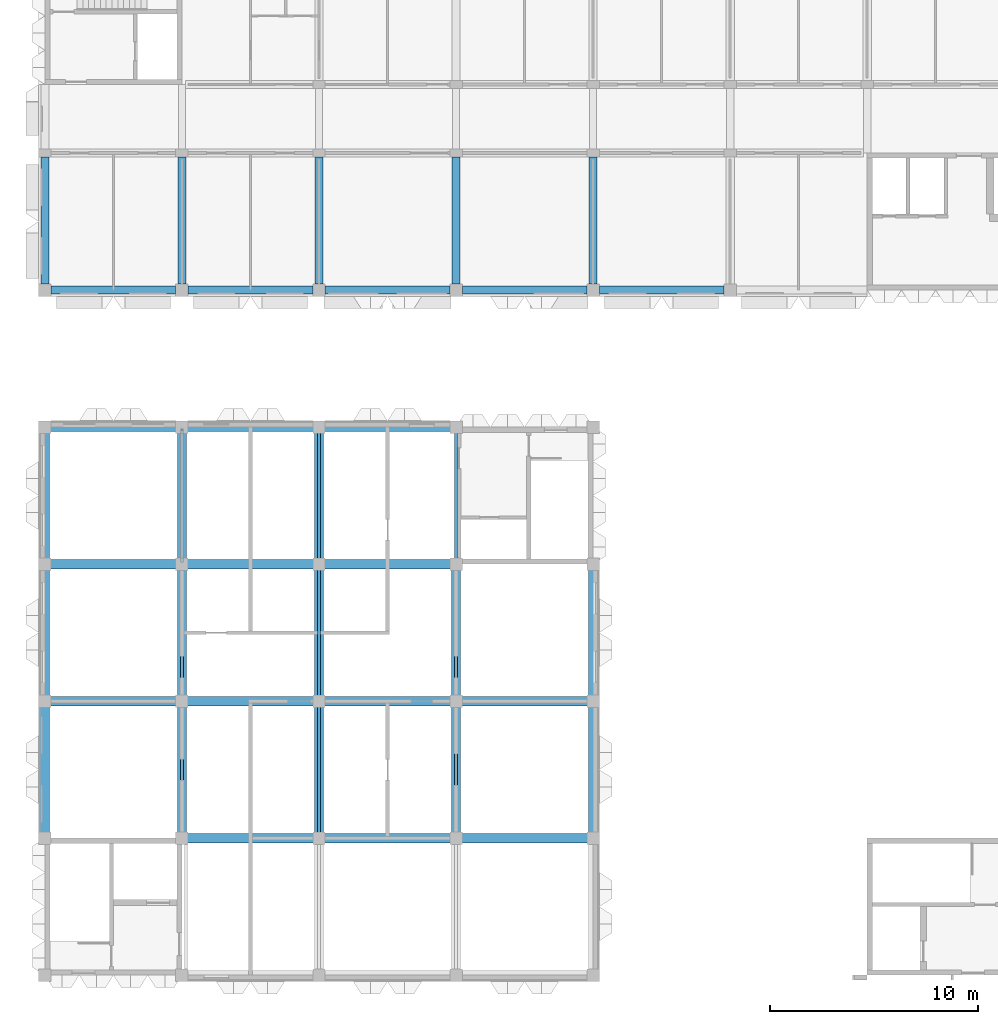
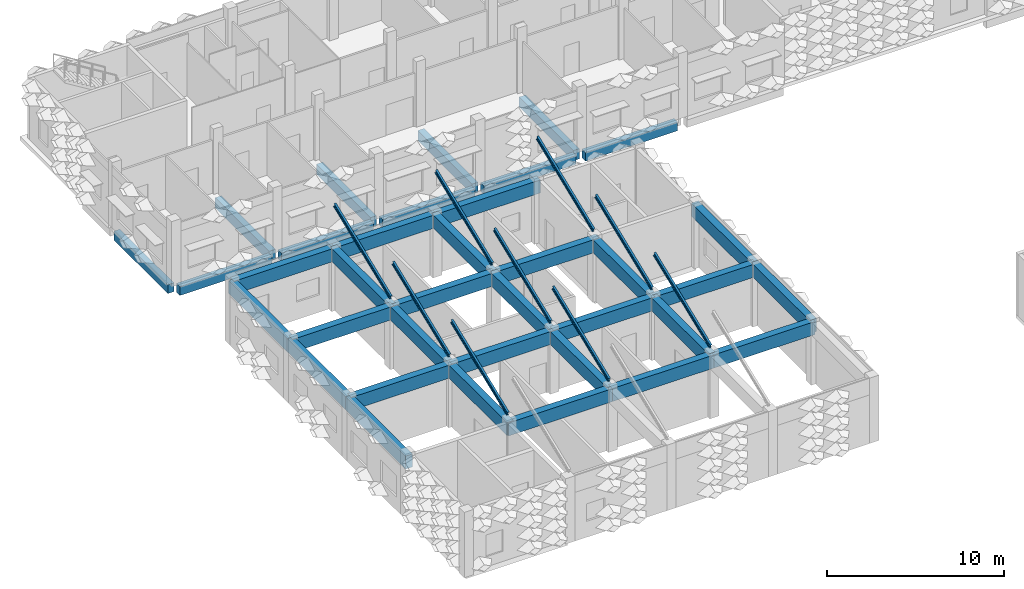
# One storey, part 15 of 102: 45 beams.
"""IFC4 building model written with IfcOpenShell, lengths in metres."""

import ifcopenshell
import ifcopenshell.guid

model = None  # the IFC model being written
_history = None  # IfcOwnerHistory: only IFC2X3 demands one
_inside = {}  # id of a spatial element -> (the spatial element, [elements in it])
_under = {}  # id of a project, library or spatial element -> (it, [spatial elements below it])
_declared = {}  # id of a project -> (the project, [libraries it declares])
_typed = {}  # id of a type object -> (the type object, [elements of that type])
_made_of = {}  # id of a material, layer set ... -> (it, [elements and type objects made of it])


def new_model(schema):
    """Start an empty IFC model of exactly this schema.

    Asked for "IFC4X3", IfcOpenShell would pick the latest addendum, in which some entities
    have other attributes; the version numbers below select the first issue.
    IFC2X3 requires an IfcOwnerHistory on every rooted entity: one is made here for all.
    """
    global model, _history
    if schema == "IFC4X3":
        model = ifcopenshell.file(schema_version=(4, 3, 0, 0))
    else:
        model = ifcopenshell.file(schema=schema)
    _inside.clear()
    _under.clear()
    _declared.clear()
    _typed.clear()
    _made_of.clear()
    _history = None
    if model.schema == "IFC2X3":
        org = make("IfcOrganization", Name="unknown")
        user = make(
            "IfcPersonAndOrganization",
            ThePerson=make("IfcPerson", FamilyName="unknown"),
            TheOrganization=org,
        )
        app = make(
            "IfcApplication",
            ApplicationDeveloper=org,
            Version="unknown",
            ApplicationFullName="unknown",
            ApplicationIdentifier="unknown",
        )
        _history = make(
            "IfcOwnerHistory",
            OwningUser=user,
            OwningApplication=app,
            ChangeAction="ADDED",
            CreationDate=0,
        )
    return model


def make(cls, **values):
    """One entity of the class cls with the attributes given. An attribute that is None is left unset."""
    return model.create_entity(
        cls, **{name: value for name, value in values.items() if value is not None}
    )


def rooted(cls, **values):
    """An entity with a GlobalId (a new one), such as an element, a storey or a relation."""
    return make(cls, GlobalId=ifcopenshell.guid.new(), OwnerHistory=_history, **values)


def si_unit(unit_type, name, prefix=None):
    """IfcSIUnit, for example si_unit("LENGTHUNIT", "METRE", prefix="MILLI")."""
    return make("IfcSIUnit", UnitType=unit_type, Prefix=prefix, Name=name)


def assignment(units):
    """IfcUnitAssignment: the units of a project."""
    return None if units is None else make("IfcUnitAssignment", Units=units)


def point(xyz):
    """IfcCartesianPoint."""
    return None if xyz is None else make("IfcCartesianPoint", Coordinates=xyz)


def direction(xyz):
    """IfcDirection."""
    return None if xyz is None else make("IfcDirection", DirectionRatios=xyz)


def frame(location, z_axis=None, x_axis=None):
    """IfcAxis2Placement3D, a coordinate frame: its origin and axes. An axis left out is left unset."""
    return make(
        "IfcAxis2Placement3D",
        Location=point(location),
        Axis=direction(z_axis),
        RefDirection=direction(x_axis),
    )


def frame_2d(location, x_axis=None):
    """IfcAxis2Placement2D, a coordinate frame in the plane: its origin and x axis."""
    return make(
        "IfcAxis2Placement2D", Location=point(location), RefDirection=direction(x_axis)
    )


def origin():
    """The frame at (0, 0, 0) with its axes left unset."""
    return frame((0.0, 0.0, 0.0))


def origin_2d():
    """The frame at (0, 0) in the plane with its x axis left unset."""
    return frame_2d((0.0, 0.0))


def place(relative_to, where):
    """IfcLocalPlacement: puts the frame where relative to a parent placement (None: the world)."""
    return make(
        "IfcLocalPlacement", PlacementRelTo=relative_to, RelativePlacement=where
    )


def context(
    kind, dimensions, precision=None, world=None, true_north=None, identifier=None
):
    """IfcGeometricRepresentationContext, for example the 3D "Model" context."""
    return make(
        "IfcGeometricRepresentationContext",
        ContextIdentifier=identifier,
        ContextType=kind,
        CoordinateSpaceDimension=dimensions,
        Precision=precision,
        WorldCoordinateSystem=world,
        TrueNorth=true_north,
    )


def subcontext(parent, identifier, kind, view, scale=None):
    """IfcGeometricRepresentationSubContext, for example "Body" below "Model"."""
    return make(
        "IfcGeometricRepresentationSubContext",
        ContextIdentifier=identifier,
        ContextType=kind,
        ParentContext=parent,
        TargetScale=scale,
        TargetView=view,
    )


def project(units=None, contexts=None):
    """IfcProject with its units and contexts."""
    return rooted(
        "IfcProject",
        Name="project",
        RepresentationContexts=contexts,
        UnitsInContext=assignment(units),
    )


def spatial(cls, under=None, at=None, **own):
    """A site, building, storey or space (cls), placed at a placement, below another one or the project."""
    s = rooted(cls, ObjectPlacement=at, **own)
    if under is not None:
        _under.setdefault(under.id(), (under, []))[1].append(s)
    return s


def profile(cls, at=None, kind="AREA", **sizes):
    """A parametric profile (cls). Its sizes go by their IFC names, for example OverallWidth=200.0."""
    return make(cls, ProfileType=kind, Position=at, **sizes)


def rectangle(**sizes):
    """IfcRectangleProfileDef."""
    return profile("IfcRectangleProfileDef", **sizes)


def i_section(**sizes):
    """IfcIShapeProfileDef."""
    return profile("IfcIShapeProfileDef", **sizes)


def extrude(swept, where, along, depth):
    """IfcExtrudedAreaSolid: the profile swept, set in the frame where, extruded along a direction by depth."""
    return make(
        "IfcExtrudedAreaSolid",
        SweptArea=swept,
        Position=where,
        ExtrudedDirection=direction(along),
        Depth=depth,
    )


def shape(context_of_items, identifier, shape_type, items):
    """IfcShapeRepresentation: the items that make up one representation, for example the "Body"."""
    return make(
        "IfcShapeRepresentation",
        ContextOfItems=context_of_items,
        RepresentationIdentifier=identifier,
        RepresentationType=shape_type,
        Items=items,
    )


def material(Name=None, Category=None):
    """IfcMaterial."""
    return make("IfcMaterial", Name=Name, Category=Category)


def material_profile(
    of_material, cross_section, Name=None, Category=None, Priority=None
):
    """IfcMaterialProfile: a cross section and its material."""
    return make(
        "IfcMaterialProfile",
        Name=Name,
        Material=of_material,
        Profile=cross_section,
        Priority=Priority,
        Category=Category,
    )


def profile_set(profiles, Name=None, composite=None):
    """IfcMaterialProfileSet."""
    return make(
        "IfcMaterialProfileSet",
        Name=Name,
        MaterialProfiles=profiles,
        CompositeProfile=composite,
    )


def made_of(thing, what):
    """Note that an element or type object is made of a material, layer set ...; save() writes the relation."""
    if what is not None:
        _made_of.setdefault(what.id(), (what, []))[1].append(thing)
    return thing


def type_object(cls, material=None, **own):
    """A type object (cls), such as IfcWallType, which elements share."""
    return made_of(rooted(cls, **own), material)


def element(
    cls,
    number,
    at=None,
    inside=None,
    cuts=None,
    type_object=None,
    material=None,
    context=None,
    identifier="Body",
    shape_type=None,
    held_by="IfcProductDefinitionShape",
    body=None,
    shapes=None,
    **own,
):
    """One element of the class cls, such as IfcWall. Its Tag is "e" and its number.

    at: its placement. inside: the storey or other place that contains it. cuts: it is an
    opening in that element (IfcRelVoidsElement). A single representation is given by context,
    identifier, shape_type and body (its items); several are given by shapes. held_by: the class
    of the entity that holds the representations. save() writes the other relations.
    """
    e = rooted(cls, Tag="e%d" % number, ObjectPlacement=at, **own)
    if body is not None:
        shapes = [shape(context, identifier, shape_type, body)]
    if shapes is not None:
        e.Representation = make(held_by, Representations=shapes)
    if inside is not None:
        _inside.setdefault(inside.id(), (inside, []))[1].append(e)
    if cuts is not None:
        rooted(
            "IfcRelVoidsElement", RelatingBuildingElement=cuts, RelatedOpeningElement=e
        )
    if type_object is not None:
        _typed.setdefault(type_object.id(), (type_object, []))[1].append(e)
    return made_of(e, material)


def aggregate(whole, parts):
    """IfcRelAggregates: a whole, such as a stair, and the parts it consists of."""
    return rooted("IfcRelAggregates", RelatingObject=whole, RelatedObjects=parts)


def save(model, path):
    """Write the relations noted so far, then the file.

    IfcRelAggregates (storeys below a building ...), IfcRelContainedInSpatialStructure (elements
    in a storey), IfcRelDefinesByType, IfcRelAssociatesMaterial and IfcRelDeclares: one each for
    every whole, place, type object, material and project.
    """
    for whole, parts in _under.values():
        aggregate(whole, parts)
    for where, things in _inside.values():
        rooted(
            "IfcRelContainedInSpatialStructure",
            RelatedElements=things,
            RelatingStructure=where,
        )
    for kind, things in _typed.values():
        rooted("IfcRelDefinesByType", RelatedObjects=things, RelatingType=kind)
    for what, things in _made_of.values():
        rooted("IfcRelAssociatesMaterial", RelatedObjects=things, RelatingMaterial=what)
    for by, libraries in _declared.values():
        rooted("IfcRelDeclares", RelatingContext=by, RelatedDefinitions=libraries)
    model.write(path)


model = new_model("IFC4")

# Units and contexts
model_context = context("Model", 3, precision=1e-05, world=origin(), true_north=direction((0.0, 1.0)))
body_context = subcontext(model_context, "Body", "Model", "MODEL_VIEW")
ifc_project = project(units=[si_unit("LENGTHUNIT", "METRE"), si_unit("AREAUNIT", "SQUARE_METRE"), si_unit("VOLUMEUNIT", "CUBIC_METRE"), si_unit("PLANEANGLEUNIT", "RADIAN"), si_unit("MASSUNIT", "GRAM", prefix="KILO")], contexts=[model_context])

# Site, building, storey
site_placement = place(None, origin())
site = spatial("IfcSite", under=ifc_project, at=site_placement, CompositionType="ELEMENT")
building_placement = place(site_placement, origin())
building = spatial("IfcBuilding", under=site, at=building_placement, Name="Lantern Court Research Institute", CompositionType="ELEMENT")
storey_placement = place(building_placement, frame((0.0, 0.0, 9.89990234375)))
storey = spatial("IfcBuildingStorey", under=building, at=storey_placement, Name="L02", CompositionType="ELEMENT", Elevation=9.89990234375)

# Beams
ifc_material_1 = material(Name="Concrete C40/50", Category="concrete")
ifc_material_profile_1 = material_profile(ifc_material_1, rectangle(XDim=0.449951171875, YDim=0.89990234375, at=origin_2d()), Name="Clean room beam 450 x 900")
ifc_profile_set_1 = profile_set([ifc_material_profile_1], Name="Concrete C40/50")
beam_type_1 = type_object("IfcBeamType", Name="Clean room beam 450 x 900", PredefinedType="BEAM", material=ifc_profile_set_1)
beam_1_placement = place(storey_placement, frame((6.449951171875, 56.10009765625, 3.800048828125), z_axis=(1.0, 0.0, 0.0), x_axis=(0.0, 1.0, 0.0)))
element("IfcBeam", 1, at=beam_1_placement, inside=storey, type_object=beam_type_1, Name="Clean room beam", PredefinedType="BEAM", context=body_context, shape_type="SweptSolid", body=[
    extrude(rectangle(XDim=0.449951171875, YDim=0.89990234375, at=origin_2d()), origin(), (0.0, 0.0, 1.0), 6.75),
])
beam_2_placement = place(storey_placement, frame((13.199951171875, 56.10009765625, 3.800048828125), z_axis=(1.0, 0.0, 0.0), x_axis=(0.0, 1.0, 0.0)))
element("IfcBeam", 2, at=beam_2_placement, inside=storey, type_object=beam_type_1, Name="Clean room beam", PredefinedType="BEAM", context=body_context, shape_type="SweptSolid", body=[
    extrude(rectangle(XDim=0.449951171875, YDim=0.89990234375, at=origin_2d()), origin(), (0.0, 0.0, 1.0), 6.60009765625),
])
beam_3_placement = place(storey_placement, frame((19.800048828125, 56.10009765625, 3.800048828125), z_axis=(1.0, 0.0, 0.0), x_axis=(0.0, 1.0, 0.0)))
element("IfcBeam", 3, at=beam_3_placement, inside=storey, type_object=beam_type_1, Name="Clean room beam", PredefinedType="BEAM", context=body_context, shape_type="SweptSolid", body=[
    extrude(rectangle(XDim=0.449951171875, YDim=0.89990234375, at=origin_2d()), origin(), (0.0, 0.0, 1.0), 6.599853515625),
])
beam_4_placement = place(storey_placement, frame((0.0, 62.699951171875, 3.800048828125), z_axis=(1.0, 0.0, 0.0), x_axis=(0.0, 1.0, 0.0)))
element("IfcBeam", 4, at=beam_4_placement, inside=storey, type_object=beam_type_1, Name="Clean room beam", PredefinedType="BEAM", context=body_context, shape_type="SweptSolid", body=[
    extrude(rectangle(XDim=0.449951171875, YDim=0.89990234375, at=origin_2d()), origin(), (0.0, 0.0, 1.0), 6.60009765625),
])
beam_5_placement = place(storey_placement, frame((6.60009765625, 62.699951171875, 3.800048828125), z_axis=(1.0, 0.0, 0.0), x_axis=(0.0, 1.0, 0.0)))
element("IfcBeam", 5, at=beam_5_placement, inside=storey, type_object=beam_type_1, Name="Clean room beam", PredefinedType="BEAM", context=body_context, shape_type="SweptSolid", body=[
    extrude(rectangle(XDim=0.449951171875, YDim=0.89990234375, at=origin_2d()), origin(), (0.0, 0.0, 1.0), 6.599853515625),
])
beam_6_placement = place(storey_placement, frame((13.199951171875, 62.699951171875, 3.800048828125), z_axis=(1.0, 0.0, 0.0), x_axis=(0.0, 1.0, 0.0)))
element("IfcBeam", 6, at=beam_6_placement, inside=storey, type_object=beam_type_1, Name="Clean room beam", PredefinedType="BEAM", context=body_context, shape_type="SweptSolid", body=[
    extrude(rectangle(XDim=0.449951171875, YDim=0.89990234375, at=origin_2d()), origin(), (0.0, 0.0, 1.0), 6.60009765625),
])
beam_7_placement = place(storey_placement, frame((19.800048828125, 62.699951171875, 3.800048828125), z_axis=(1.0, 0.0, 0.0), x_axis=(0.0, 1.0, 0.0)))
element("IfcBeam", 7, at=beam_7_placement, inside=storey, type_object=beam_type_1, Name="Clean room beam", PredefinedType="BEAM", context=body_context, shape_type="SweptSolid", body=[
    extrude(rectangle(XDim=0.449951171875, YDim=0.89990234375, at=origin_2d()), origin(), (0.0, 0.0, 1.0), 6.599853515625),
])
beam_8_placement = place(storey_placement, frame((0.0, 69.300048828125, 3.800048828125), z_axis=(1.0, 0.0, 0.0), x_axis=(0.0, 1.0, 0.0)))
element("IfcBeam", 8, at=beam_8_placement, inside=storey, type_object=beam_type_1, Name="Clean room beam", PredefinedType="BEAM", context=body_context, shape_type="SweptSolid", body=[
    extrude(rectangle(XDim=0.449951171875, YDim=0.89990234375, at=origin_2d()), origin(), (0.0, 0.0, 1.0), 6.60009765625),
])
beam_9_placement = place(storey_placement, frame((6.60009765625, 69.300048828125, 3.800048828125), z_axis=(1.0, 0.0, 0.0), x_axis=(0.0, 1.0, 0.0)))
element("IfcBeam", 9, at=beam_9_placement, inside=storey, type_object=beam_type_1, Name="Clean room beam", PredefinedType="BEAM", context=body_context, shape_type="SweptSolid", body=[
    extrude(rectangle(XDim=0.449951171875, YDim=0.89990234375, at=origin_2d()), origin(), (0.0, 0.0, 1.0), 6.599853515625),
])
beam_10_placement = place(storey_placement, frame((13.199951171875, 69.300048828125, 3.800048828125), z_axis=(1.0, 0.0, 0.0), x_axis=(0.0, 1.0, 0.0)))
element("IfcBeam", 10, at=beam_10_placement, inside=storey, type_object=beam_type_1, Name="Clean room beam", PredefinedType="BEAM", context=body_context, shape_type="SweptSolid", body=[
    extrude(rectangle(XDim=0.449951171875, YDim=0.89990234375, at=origin_2d()), origin(), (0.0, 0.0, 1.0), 6.75),
])
beam_11_placement = place(storey_placement, frame((0.0, 75.89990234375, 3.800048828125), z_axis=(1.0, 0.0, 0.0), x_axis=(0.0, 1.0, 0.0)))
element("IfcBeam", 11, at=beam_11_placement, inside=storey, type_object=beam_type_1, Name="Clean room beam", PredefinedType="BEAM", context=body_context, shape_type="SweptSolid", body=[
    extrude(rectangle(XDim=0.449951171875, YDim=0.89990234375, at=origin_2d()), origin(), (0.0, 0.0, 1.0), 6.60009765625),
])
beam_12_placement = place(storey_placement, frame((6.60009765625, 75.89990234375, 3.800048828125), z_axis=(1.0, 0.0, 0.0), x_axis=(0.0, 1.0, 0.0)))
element("IfcBeam", 12, at=beam_12_placement, inside=storey, type_object=beam_type_1, Name="Clean room beam", PredefinedType="BEAM", context=body_context, shape_type="SweptSolid", body=[
    extrude(rectangle(XDim=0.449951171875, YDim=0.89990234375, at=origin_2d()), origin(), (0.0, 0.0, 1.0), 6.599853515625),
])
for number, where, z_axis, x_axis, name in (
    (13, (13.199951171875, 75.89990234375, 3.800048828125), (1.0, 0.0, 0.0), (0.0, 1.0, 0.0), "Clean room beam"),
    (14, (0.0, 55.949951171875, 3.800048828125), (0.0, 1.0, 0.0), (-1.0, 0.0, 0.0), "Clean room beam"),
):
    element("IfcBeam", number, at=place(storey_placement, frame(where, z_axis=z_axis, x_axis=x_axis)), inside=storey, type_object=beam_type_1, Name=name, PredefinedType="BEAM", context=body_context, shape_type="SweptSolid", body=[
        extrude(rectangle(XDim=0.449951171875, YDim=0.89990234375, at=origin_2d()), origin(), (0.0, 0.0, 1.0), 6.75),
    ])
beam_13_placement = place(storey_placement, frame((0.0, 62.699951171875, 3.800048828125), z_axis=(0.0, 1.0, 0.0), x_axis=(-1.0, 0.0, 0.0)))
element("IfcBeam", 15, at=beam_13_placement, inside=storey, type_object=beam_type_1, Name="Clean room beam", PredefinedType="BEAM", context=body_context, shape_type="SweptSolid", body=[
    extrude(rectangle(XDim=0.449951171875, YDim=0.89990234375, at=origin_2d()), origin(), (0.0, 0.0, 1.0), 6.60009765625),
])
beam_14_placement = place(storey_placement, frame((0.0, 69.300048828125, 3.800048828125), z_axis=(0.0, 1.0, 0.0), x_axis=(-1.0, 0.0, 0.0)))
element("IfcBeam", 16, at=beam_14_placement, inside=storey, type_object=beam_type_1, Name="Clean room beam", PredefinedType="BEAM", context=body_context, shape_type="SweptSolid", body=[
    extrude(rectangle(XDim=0.449951171875, YDim=0.89990234375, at=origin_2d()), origin(), (0.0, 0.0, 1.0), 6.599853515625),
])
beam_15_placement = place(storey_placement, frame((6.60009765625, 55.949951171875, 3.800048828125), z_axis=(0.0, 1.0, 0.0), x_axis=(-1.0, 0.0, 0.0)))
element("IfcBeam", 17, at=beam_15_placement, inside=storey, type_object=beam_type_1, Name="Clean room beam", PredefinedType="BEAM", context=body_context, shape_type="SweptSolid", body=[
    extrude(rectangle(XDim=0.449951171875, YDim=0.89990234375, at=origin_2d()), origin(), (0.0, 0.0, 1.0), 6.75),
])
beam_16_placement = place(storey_placement, frame((6.60009765625, 62.699951171875, 3.800048828125), z_axis=(0.0, 1.0, 0.0), x_axis=(-1.0, 0.0, 0.0)))
element("IfcBeam", 18, at=beam_16_placement, inside=storey, type_object=beam_type_1, Name="Clean room beam", PredefinedType="BEAM", context=body_context, shape_type="SweptSolid", body=[
    extrude(rectangle(XDim=0.449951171875, YDim=0.89990234375, at=origin_2d()), origin(), (0.0, 0.0, 1.0), 6.60009765625),
])
for number, where, z_axis, x_axis, name in (
    (19, (6.60009765625, 69.300048828125, 3.800048828125), (0.0, 1.0, 0.0), (-1.0, 0.0, 0.0), "Clean room beam"),
    (20, (13.199951171875, 56.10009765625, 3.800048828125), (0.0, 1.0, 0.0), (-1.0, 0.0, 0.0), "Clean room beam"),
):
    element("IfcBeam", number, at=place(storey_placement, frame(where, z_axis=z_axis, x_axis=x_axis)), inside=storey, type_object=beam_type_1, Name=name, PredefinedType="BEAM", context=body_context, shape_type="SweptSolid", body=[
        extrude(rectangle(XDim=0.449951171875, YDim=0.89990234375, at=origin_2d()), origin(), (0.0, 0.0, 1.0), 6.599853515625),
    ])
beam_17_placement = place(storey_placement, frame((13.199951171875, 62.699951171875, 3.800048828125), z_axis=(0.0, 1.0, 0.0), x_axis=(-1.0, 0.0, 0.0)))
element("IfcBeam", 21, at=beam_17_placement, inside=storey, type_object=beam_type_1, Name="Clean room beam", PredefinedType="BEAM", context=body_context, shape_type="SweptSolid", body=[
    extrude(rectangle(XDim=0.449951171875, YDim=0.89990234375, at=origin_2d()), origin(), (0.0, 0.0, 1.0), 6.60009765625),
])
for number, where, z_axis, x_axis, name in (
    (22, (13.199951171875, 69.300048828125, 3.800048828125), (0.0, 1.0, 0.0), (-1.0, 0.0, 0.0), "Clean room beam"),
    (23, (19.800048828125, 56.10009765625, 3.800048828125), (0.0, 1.0, 0.0), (-1.0, 0.0, 0.0), "Clean room beam"),
):
    element("IfcBeam", number, at=place(storey_placement, frame(where, z_axis=z_axis, x_axis=x_axis)), inside=storey, type_object=beam_type_1, Name=name, PredefinedType="BEAM", context=body_context, shape_type="SweptSolid", body=[
        extrude(rectangle(XDim=0.449951171875, YDim=0.89990234375, at=origin_2d()), origin(), (0.0, 0.0, 1.0), 6.599853515625),
    ])
beam_18_placement = place(storey_placement, frame((19.800048828125, 62.699951171875, 3.800048828125), z_axis=(0.0, 1.0, 0.0), x_axis=(-1.0, 0.0, 0.0)))
element("IfcBeam", 24, at=beam_18_placement, inside=storey, type_object=beam_type_1, Name="Clean room beam", PredefinedType="BEAM", context=body_context, shape_type="SweptSolid", body=[
    extrude(rectangle(XDim=0.449951171875, YDim=0.89990234375, at=origin_2d()), origin(), (0.0, 0.0, 1.0), 6.75),
])
beam_19_placement = place(storey_placement, frame((26.39990234375, 56.10009765625, 3.800048828125), z_axis=(0.0, 1.0, 0.0), x_axis=(-1.0, 0.0, 0.0)))
element("IfcBeam", 25, at=beam_19_placement, inside=storey, type_object=beam_type_1, Name="Clean room beam", PredefinedType="BEAM", context=body_context, shape_type="SweptSolid", body=[
    extrude(rectangle(XDim=0.449951171875, YDim=0.89990234375, at=origin_2d()), origin(), (0.0, 0.0, 1.0), 6.599853515625),
])
beam_20_placement = place(storey_placement, frame((26.39990234375, 62.699951171875, 3.800048828125), z_axis=(0.0, 1.0, 0.0), x_axis=(-1.0, 0.0, 0.0)))
element("IfcBeam", 26, at=beam_20_placement, inside=storey, type_object=beam_type_1, Name="Clean room beam", PredefinedType="BEAM", context=body_context, shape_type="SweptSolid", body=[
    extrude(rectangle(XDim=0.449951171875, YDim=0.89990234375, at=origin_2d()), origin(), (0.0, 0.0, 1.0), 6.75),
])
ifc_material_2 = material(Name="Concrete C40/50", Category="concrete")
ifc_material_profile_2 = material_profile(ifc_material_2, rectangle(XDim=0.39990234375, YDim=0.699951171875, at=origin_2d()), Name="RC beam 400 x 700")
ifc_profile_set_2 = profile_set([ifc_material_profile_2], Name="Concrete C40/50")
beam_type_2 = type_object("IfcBeamType", Name="RC beam 400 x 700", PredefinedType="BEAM", material=ifc_profile_set_2)
for number, where, z_axis, x_axis, name in (
    (27, (6.60009765625, 82.800048828125, -0.599853515625), (0.0, 1.0, 0.0), (-1.0, 0.0, 0.0), "Beam L02 grid 2/J-K"),
    (28, (13.199951171875, 82.800048828125, -0.599853515625), (0.0, 1.0, 0.0), (-1.0, 0.0, 0.0), "Beam L02 grid 3/J-K"),
    (29, (19.800048828125, 82.800048828125, -0.599853515625), (0.0, 1.0, 0.0), (-1.0, 0.0, 0.0), "Beam L02 grid 4/J-K"),
    (30, (26.39990234375, 82.800048828125, -0.599853515625), (0.0, 1.0, 0.0), (-1.0, 0.0, 0.0), "Beam L02 grid 5/J-K"),
):
    element("IfcBeam", number, at=place(storey_placement, frame(where, z_axis=z_axis, x_axis=x_axis)), inside=storey, type_object=beam_type_2, Name=name, PredefinedType="BEAM", context=body_context, shape_type="SweptSolid", body=[
        extrude(rectangle(XDim=0.39990234375, YDim=0.699951171875, at=origin_2d()), origin(), (0.0, 0.0, 1.0), 6.099853515625),
    ])
ifc_material_3 = material(Name="Concrete C40/50", Category="concrete")
ifc_material_profile_3 = material_profile(ifc_material_3, rectangle(XDim=0.39990234375, YDim=0.60009765625, at=origin_2d()), Name="RC beam 400 x 600")
ifc_profile_set_3 = profile_set([ifc_material_profile_3], Name="Concrete C40/50")
beam_type_3 = type_object("IfcBeamType", Name="RC edge beam 400 x 600", PredefinedType="BEAM", material=ifc_profile_set_3)
beam_21_placement = place(storey_placement, frame((0.0, 82.800048828125, -0.5498046875), z_axis=(0.0, 1.0, 0.0), x_axis=(-1.0, 0.0, 0.0)))
element("IfcBeam", 31, at=beam_21_placement, inside=storey, type_object=beam_type_3, Name="Edge beam L02 grid 1/J-K", PredefinedType="BEAM", context=body_context, shape_type="SweptSolid", body=[
    extrude(rectangle(XDim=0.39990234375, YDim=0.60009765625, at=origin_2d()), origin(), (0.0, 0.0, 1.0), 6.099853515625),
])
for number, where, z_axis, x_axis, name in (
    (32, (0.300048828125, 82.5, -0.5498046875), (1.0, 0.0, 0.0), (0.0, 1.0, 0.0), "Edge beam L02 grid J/1-2"),
    (33, (6.89990234375, 82.5, -0.5498046875), (1.0, 0.0, 0.0), (0.0, 1.0, 0.0), "Edge beam L02 grid J/2-3"),
    (34, (13.5, 82.5, -0.5498046875), (1.0, 0.0, 0.0), (0.0, 1.0, 0.0), "Edge beam L02 grid J/3-4"),
    (35, (20.10009765625, 82.5, -0.5498046875), (1.0, 0.0, 0.0), (0.0, 1.0, 0.0), "Edge beam L02 grid J/4-5"),
    (36, (26.699951171875, 82.5, -0.5498046875), (1.0, 0.0, 0.0), (0.0, 1.0, 0.0), "Edge beam L02 grid J/5-6"),
):
    element("IfcBeam", number, at=place(storey_placement, frame(where, z_axis=z_axis, x_axis=x_axis)), inside=storey, type_object=beam_type_3, Name=name, PredefinedType="BEAM", context=body_context, shape_type="SweptSolid", body=[
        extrude(rectangle(XDim=0.39990234375, YDim=0.60009765625, at=origin_2d()), origin(), (0.0, 0.0, 1.0), 6.0),
    ])
ifc_material_4 = material(Name="Structural steel S355", Category="steel")
ifc_material_profile_4 = material_profile(ifc_material_4, i_section(OverallWidth=0.135009765625, OverallDepth=0.27001953125, WebThickness=0.006591796875, FlangeThickness=0.01025390625, FilletRadius=0.014892578125, at=origin_2d()), Name="IPE 270")
ifc_profile_set_4 = profile_set([ifc_material_profile_4], Name="Structural steel S355")
beam_type_4 = type_object("IfcBeamType", Name="Sawtooth rafter IPE 270", PredefinedType="BEAM", material=ifc_profile_set_4)
for number, where, z_axis, x_axis, name in (
    (37, (6.60009765625, 56.22509765625, 4.62548828125), (0.0, 0.928471766928, 0.37140298601), (-1.0, 0.0, 0.0), "Sawtooth rafter"),
    (38, (13.199951171875, 56.22509765625, 4.62548828125), (0.0, 0.928471766928, 0.37140298601), (-1.0, 0.0, 0.0), "Sawtooth rafter"),
    (39, (19.800048828125, 56.22509765625, 4.62548828125), (0.0, 0.928471766928, 0.37140298601), (-1.0, 0.0, 0.0), "Sawtooth rafter"),
):
    element("IfcBeam", number, at=place(storey_placement, frame(where, z_axis=z_axis, x_axis=x_axis)), inside=storey, type_object=beam_type_4, Name=name, PredefinedType="BEAM", context=body_context, shape_type="SweptSolid", body=[
        extrude(i_section(OverallWidth=0.135009765625, OverallDepth=0.27001953125, WebThickness=0.006591796875, FlangeThickness=0.01025390625, FilletRadius=0.014892578125, at=origin_2d()), origin(), (0.0, 0.0, 1.0), 6.839111328125),
    ])
for number, where, z_axis, x_axis, name in (
    (40, (6.60009765625, 62.824951171875, 4.62548828125), (0.0, 0.928476690885, 0.371390676354), (-1.0, 0.0, 0.0), "Sawtooth rafter"),
    (41, (13.199951171875, 62.824951171875, 4.62548828125), (0.0, 0.928476690885, 0.371390676354), (-1.0, 0.0, 0.0), "Sawtooth rafter"),
    (42, (19.800048828125, 62.824951171875, 4.62548828125), (0.0, 0.928476690885, 0.371390676354), (-1.0, 0.0, 0.0), "Sawtooth rafter"),
):
    element("IfcBeam", number, at=place(storey_placement, frame(where, z_axis=z_axis, x_axis=x_axis)), inside=storey, type_object=beam_type_4, Name=name, PredefinedType="BEAM", context=body_context, shape_type="SweptSolid", body=[
        extrude(i_section(OverallWidth=0.135009765625, OverallDepth=0.27001953125, WebThickness=0.006591796875, FlangeThickness=0.01025390625, FilletRadius=0.014892578125, at=origin_2d()), origin(), (0.0, 0.0, 1.0), 6.83935546875),
    ])
for number, where, z_axis, x_axis, name in (
    (43, (6.60009765625, 69.425048828125, 4.62548828125), (0.0, 0.928471766928, 0.37140298601), (-1.0, 0.0, 0.0), "Sawtooth rafter"),
    (44, (13.199951171875, 69.425048828125, 4.62548828125), (0.0, 0.928471766928, 0.37140298601), (-1.0, 0.0, 0.0), "Sawtooth rafter"),
    (45, (19.800048828125, 69.425048828125, 4.62548828125), (0.0, 0.928471766928, 0.37140298601), (-1.0, 0.0, 0.0), "Sawtooth rafter"),
):
    element("IfcBeam", number, at=place(storey_placement, frame(where, z_axis=z_axis, x_axis=x_axis)), inside=storey, type_object=beam_type_4, Name=name, PredefinedType="BEAM", context=body_context, shape_type="SweptSolid", body=[
        extrude(i_section(OverallWidth=0.135009765625, OverallDepth=0.27001953125, WebThickness=0.006591796875, FlangeThickness=0.01025390625, FilletRadius=0.014892578125, at=origin_2d()), origin(), (0.0, 0.0, 1.0), 6.839111328125),
    ])

save(model, "model.ifc")
